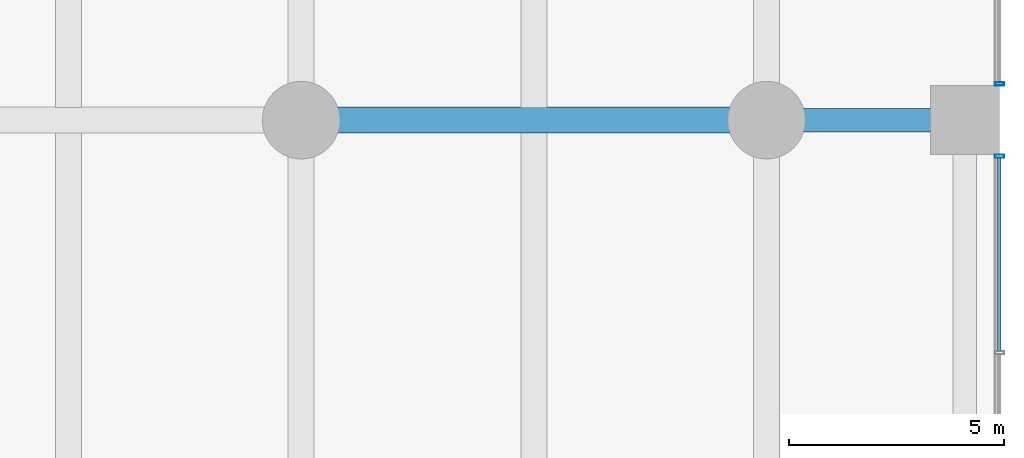
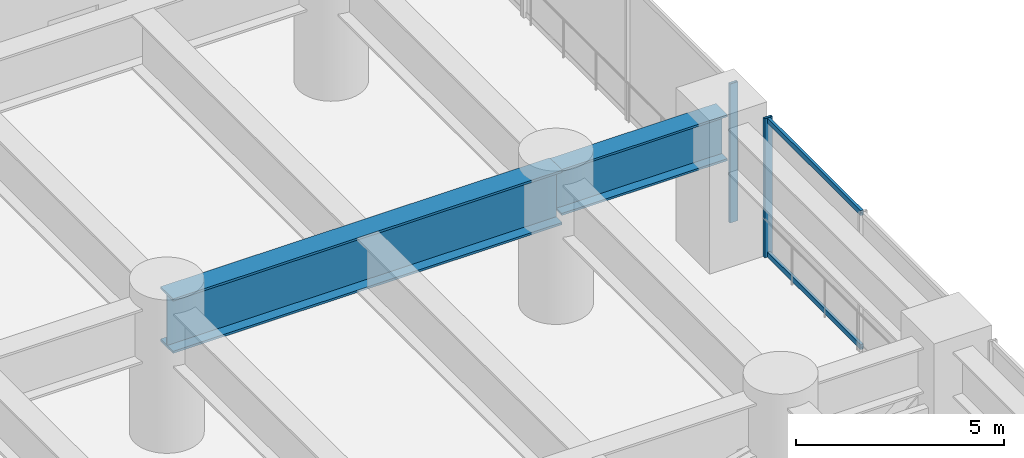
# One storey, part 23 of 37: 4 members, 2 beams, 2 elements without a shape of their own.
"""IFC4 building model written with IfcOpenShell, lengths in metres."""

from ifc_helpers import new_model, si_unit, direction, frame, origin, origin_2d, place, context, subcontext, project, spatial, hollow_rectangle, i_section, extrude, material, layer, layer_set, material_profile, profile_set, type_object, element, aggregate, save


model = new_model("IFC4")

# Units and contexts
model_context = context("Model", 3, precision=1e-05, world=origin(), true_north=direction((0.0, 1.0)))
body_context = subcontext(model_context, "Body", "Model", "MODEL_VIEW")
ifc_project = project(units=[si_unit("LENGTHUNIT", "METRE"), si_unit("AREAUNIT", "SQUARE_METRE"), si_unit("VOLUMEUNIT", "CUBIC_METRE"), si_unit("PLANEANGLEUNIT", "RADIAN"), si_unit("MASSUNIT", "GRAM", prefix="KILO")], contexts=[model_context])

# Site, building, storey
site_placement = place(None, origin())
site = spatial("IfcSite", under=ifc_project, at=site_placement, CompositionType="ELEMENT")
building_placement = place(site_placement, origin())
building = spatial("IfcBuilding", under=site, at=building_placement, Name="Surkhivell Harbour Commons", CompositionType="ELEMENT")
storey_placement = place(building_placement, frame((0.0, 0.0, 18.0)))
storey = spatial("IfcBuildingStorey", under=building, at=storey_placement, Name="L04", CompositionType="ELEMENT", Elevation=18.0)

# Beams
ifc_material_1 = material(Name="Steel S460", Category="steel")
ifc_material_profile_1 = material_profile(ifc_material_1, i_section(OverallWidth=0.550048828125, OverallDepth=1.35009765625, WebThickness=0.031982421875, FlangeThickness=0.06005859375, at=origin_2d()), Name="WPG1350x550x248")
ifc_profile_set_1 = profile_set([ifc_material_profile_1], Name="Steel S460")
beam_type_1 = type_object("IfcBeamType", Name="BM-TRF-1350", PredefinedType="BEAM", material=ifc_profile_set_1)
beam_1_placement = place(storey_placement, frame((32.39990234375, 10.800048828125, 3.405029296875), z_axis=(1.0, 0.0, 0.0), x_axis=(0.0, 1.0, 0.0)))
element("IfcBeam", 1, at=beam_1_placement, inside=storey, type_object=beam_type_1, Name="L04 Transfer Girder (32.4,10.8)", PredefinedType="BEAM", context=body_context, shape_type="SweptSolid", body=[
    extrude(i_section(OverallWidth=0.550048828125, OverallDepth=1.35009765625, WebThickness=0.031982421875, FlangeThickness=0.06005859375, at=origin_2d()), origin(), (0.0, 0.0, 1.0), 4.60009765625),
])
ifc_material_profile_2 = material_profile(ifc_material_1, i_section(OverallWidth=0.60009765625, OverallDepth=1.60009765625, WebThickness=0.035888671875, FlangeThickness=0.06494140625, at=origin_2d()), Name="WPG1600x600x296")
ifc_profile_set_2 = profile_set([ifc_material_profile_2], Name="Steel S460")
beam_type_2 = type_object("IfcBeamType", Name="BM-TRF-1600", PredefinedType="BEAM", material=ifc_profile_set_2)
beam_2_placement = place(storey_placement, frame((21.60009765625, 10.800048828125, 3.280029296875), z_axis=(1.0, 0.0, 0.0), x_axis=(0.0, 1.0, 0.0)))
element("IfcBeam", 2, at=beam_2_placement, inside=storey, type_object=beam_type_2, Name="L04 Transfer Girder (21.6,10.8)", PredefinedType="BEAM", context=body_context, shape_type="SweptSolid", body=[
    extrude(i_section(OverallWidth=0.60009765625, OverallDepth=1.60009765625, WebThickness=0.035888671875, FlangeThickness=0.06494140625, at=origin_2d()), origin(), (0.0, 0.0, 1.0), 10.7998046875),
])

# Curtain wall, member
ifc_material_2 = material(Name="Anodised pale-metal aluminium and insulated glazing", Category="aluminium")
ifc_layer = layer(ifc_material_2, 0.239990234375)
ifc_layer_set = layer_set([ifc_layer], Name="Anodised pale-metal aluminium and insulated glazing")
curtain_wall_type = type_object("IfcCurtainWallType", Name="CW-SYS-POD", PredefinedType="NOTDEFINED", material=ifc_layer_set)
curtain_wall_1_placement = place(storey_placement, origin())
curtain_wall_1 = element("IfcCurtainWall", 3, at=curtain_wall_1_placement, inside=storey, type_object=curtain_wall_type, Name="L04 Curtain Wall CW-L04-E4", PredefinedType="NOTDEFINED")
ifc_material_3 = material(Name="Anodised pale-metal aluminium alloy 6063-T6", Category="aluminium")
ifc_material_profile_3 = material_profile(ifc_material_3, hollow_rectangle(XDim=0.074951171875, YDim=0.219970703125, WallThickness=0.00390625, at=origin_2d()), Name="ALU-MULL-75x220")
ifc_profile_set_3 = profile_set([ifc_material_profile_3], Name="Anodised pale-metal aluminium alloy 6063-T6")
member_type_1 = type_object("IfcMemberType", Name="CWM-220", PredefinedType="MULLION", material=ifc_profile_set_3)
member_1_placement = place(storey_placement, frame((37.800048828125, 9.96044921875, 0.0), z_axis=(0.0, 0.0, 1.0), x_axis=(0.0, -1.0, 0.0)))
member_1 = element("IfcMember", 4, at=member_1_placement, type_object=member_type_1, Name="CW-POD mullion 1", PredefinedType="MULLION", context=body_context, shape_type="SweptSolid", body=[
    extrude(hollow_rectangle(XDim=0.074951171875, YDim=0.219970703125, WallThickness=0.00390625, at=origin_2d()), origin(), (0.0, 0.0, 1.0), 4.080078125),
])

curtain_wall_2_placement = place(storey_placement, origin())
curtain_wall_2 = element("IfcCurtainWall", 5, at=curtain_wall_2_placement, inside=storey, type_object=curtain_wall_type, Name="L04 Curtain Wall CW-L04-E5", PredefinedType="NOTDEFINED")
member_2_placement = place(storey_placement, frame((37.800048828125, 11.639404296875, 0.0), z_axis=(0.0, 0.0, 1.0), x_axis=(0.0, -1.0, 0.0)))
member_2 = element("IfcMember", 6, at=member_2_placement, type_object=member_type_1, Name="CW-POD mullion 3", PredefinedType="MULLION", context=body_context, shape_type="SweptSolid", body=[
    extrude(hollow_rectangle(XDim=0.074951171875, YDim=0.219970703125, WallThickness=0.00390625, at=origin_2d()), origin(), (0.0, 0.0, 1.0), 4.080078125),
])
aggregate(curtain_wall_2, [member_2])

# Member
ifc_material_profile_4 = material_profile(ifc_material_3, hollow_rectangle(XDim=0.074951171875, YDim=0.14990234375, WallThickness=0.00341796875, at=origin_2d()), Name="ALU-TRAN-75x150")
ifc_profile_set_4 = profile_set([ifc_material_profile_4], Name="Anodised pale-metal aluminium alloy 6063-T6")
member_type_2 = type_object("IfcMemberType", Name="CWT-150", PredefinedType="USERDEFINED", material=ifc_profile_set_4)
member_3_placement = place(storey_placement, frame((37.800048828125, 9.923095703125, 0.074951171875), z_axis=(0.0, -1.0, 0.0), x_axis=(1.0, 0.0, 0.0)))
member_3 = element("IfcMember", 7, at=member_3_placement, type_object=member_type_2, Name="CW-POD transom 1.1", ObjectType="TRANSOM", PredefinedType="USERDEFINED", context=body_context, shape_type="SweptSolid", body=[
    extrude(hollow_rectangle(XDim=0.074951171875, YDim=0.14990234375, WallThickness=0.00341796875, at=origin_2d()), origin(), (0.0, 0.0, 1.0), 4.485595703125),
])

member_4_placement = place(storey_placement, frame((37.800048828125, 9.923095703125, 4.0048828125), z_axis=(0.0, -1.0, 0.0), x_axis=(1.0, 0.0, 0.0)))
member_4 = element("IfcMember", 8, at=member_4_placement, type_object=member_type_2, Name="CW-POD transom 1.2", ObjectType="TRANSOM", PredefinedType="USERDEFINED", context=body_context, shape_type="SweptSolid", body=[
    extrude(hollow_rectangle(XDim=0.074951171875, YDim=0.14990234375, WallThickness=0.00341796875, at=origin_2d()), origin(), (0.0, 0.0, 1.0), 4.485595703125),
])

aggregate(curtain_wall_1, [member_1, member_3, member_4])

save(model, "model.ifc")
